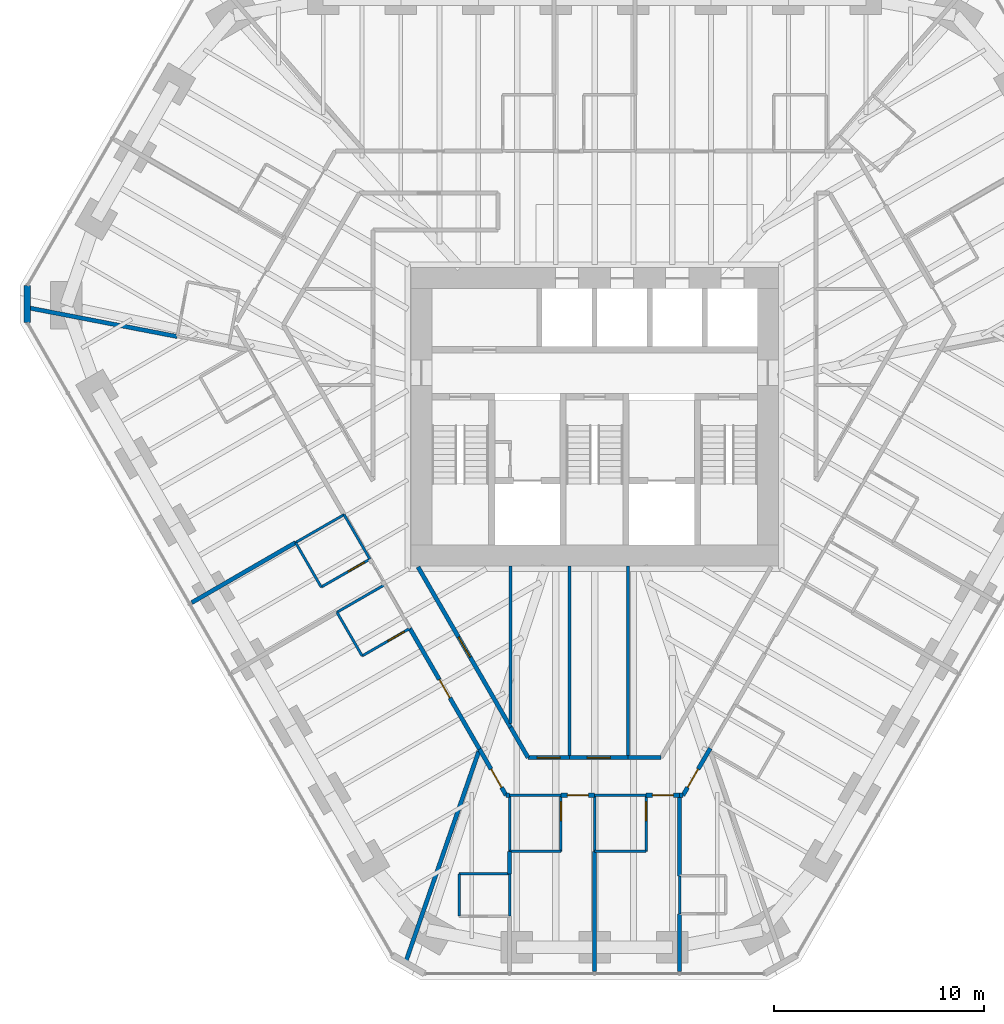
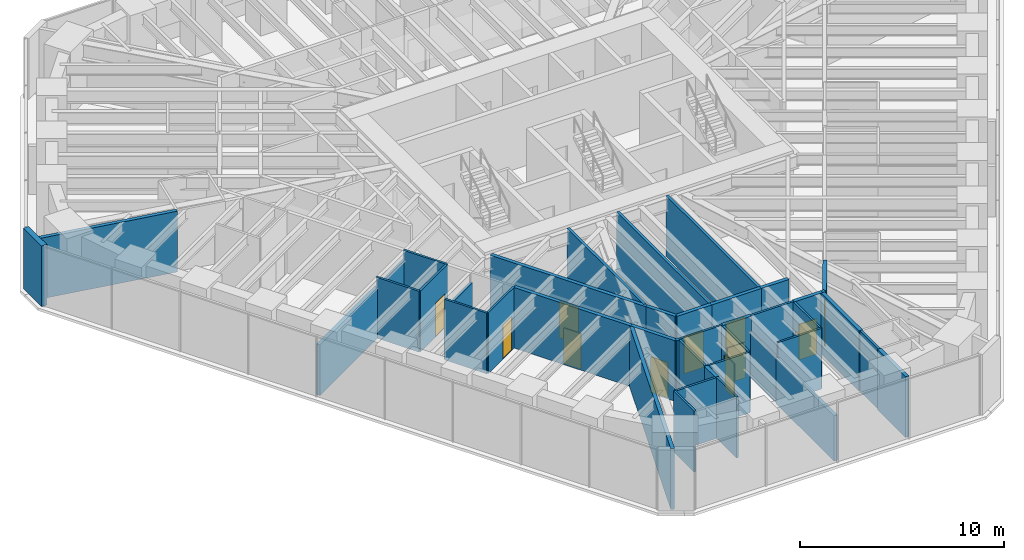
# One storey, part 11 of 16: 42 walls, 12 doors, 12 openings.
"""IFC4 building model written with IfcOpenShell, lengths in metres."""

from ifc_helpers import new_model, si_unit, direction, frame, frame_2d, origin, place, context, subcontext, project, spatial, rectangle, extrude, material, layer, layer_set, type_object, element, fill, save


model = new_model("IFC4")

# Units and contexts
model_context = context("Model", 3, precision=1e-05, world=origin(), true_north=direction((0.0, 1.0)))
body_context = subcontext(model_context, "Body", "Model", "MODEL_VIEW")
ifc_project = project(units=[si_unit("LENGTHUNIT", "METRE"), si_unit("AREAUNIT", "SQUARE_METRE"), si_unit("VOLUMEUNIT", "CUBIC_METRE"), si_unit("PLANEANGLEUNIT", "RADIAN"), si_unit("MASSUNIT", "GRAM", prefix="KILO")], contexts=[model_context])

# Site, building, storey
site_placement = place(None, origin())
site = spatial("IfcSite", under=ifc_project, at=site_placement, CompositionType="ELEMENT")
building_placement = place(site_placement, origin())
building = spatial("IfcBuilding", under=site, at=building_placement, Name="Sandreach Pilgrim Tower", CompositionType="ELEMENT")
storey_placement = place(building_placement, frame((0.0, 0.0, 190.800048828125)))
storey = spatial("IfcBuildingStorey", under=building, at=storey_placement, Name="L47", CompositionType="ELEMENT", Elevation=190.800048828125)

# Walls
ifc_material_1 = material(Name="Gypsum board on steel studs", Category="steel")
ifc_layer_1 = layer(ifc_material_1, 0.14990234375)
ifc_layer_set_1 = layer_set([ifc_layer_1], Name="Back of house wall 150")
wall_type_1 = type_object("IfcWallType", Name="Back of house wall 150", PredefinedType="PARTITIONING", material=ifc_layer_set_1)
wall_1_placement = place(storey_placement, frame((-4.0, -7.10009765625, 0.0), z_axis=(0.0, 0.0, 1.0), x_axis=(0.0, -1.0, 0.0)))
element("IfcWall", 1, at=wall_1_placement, inside=storey, type_object=wall_type_1, Name="Back of house wall L47-062", PredefinedType="PARTITIONING", context=body_context, shape_type="SweptSolid", body=[
    extrude(rectangle(XDim=7.514892578125, YDim=0.14990234375, at=frame_2d((3.75732421875, 0.0))), origin(), (0.0, 0.0, 1.0), 3.639892578125),
])
for number, where, z_axis, x_axis, name in (
    (2, (-1.199951171875, -7.10009765625, 0.0), (0.0, 0.0, 1.0), (0.0, -1.0, 0.0), "Back of house wall L47-071"),
    (3, (1.60009765625, -7.10009765625, 0.0), (0.0, 0.0, 1.0), (0.0, -1.0, 0.0), "Back of house wall L47-079"),
):
    element("IfcWall", number, at=place(storey_placement, frame(where, z_axis=z_axis, x_axis=x_axis)), inside=storey, type_object=wall_type_1, Name=name, PredefinedType="PARTITIONING", context=body_context, shape_type="SweptSolid", body=[
        extrude(rectangle(XDim=9.1298828125, YDim=0.14990234375, at=frame_2d((4.56494140625, 0.0))), origin(), (0.0, 0.0, 1.0), 3.639892578125),
    ])
ifc_material_2 = material(Name="Moisture-resistant gypsum board on steel studs", Category="steel")
ifc_layer_2 = layer(ifc_material_2, 0.1201171875)
ifc_layer_set_2 = layer_set([ifc_layer_2], Name="Bathroom partition 120")
wall_type_2 = type_object("IfcWallType", Name="Bathroom partition 120", PredefinedType="PARTITIONING", material=ifc_layer_set_2)
wall_2_placement = place(storey_placement, frame((-14.239990234375, -5.989990234375, 0.0), z_axis=(0.0, 0.0, 1.0), x_axis=(0.498748634132, -0.866746675766, 0.0)))
element("IfcWall", 4, at=wall_2_placement, inside=storey, type_object=wall_type_2, Name="Bathroom partition L47-023", PredefinedType="PARTITIONING", context=body_context, shape_type="SweptSolid", body=[
    extrude(rectangle(XDim=2.446044921875, YDim=0.1201171875, at=frame_2d((1.22314453125, 0.0))), origin(), (0.0, 0.0, 1.0), 3.639892578125),
])
wall_3_placement = place(storey_placement, frame((-14.239990234375, -5.989990234375, 0.0), z_axis=(0.0, 0.0, 1.0), x_axis=(0.866615255992, 0.498976951453, 0.0)))
element("IfcWall", 5, at=wall_3_placement, inside=storey, type_object=wall_type_2, Name="Bathroom partition L47-024", PredefinedType="PARTITIONING", context=body_context, shape_type="SweptSolid", body=[
    extrude(rectangle(XDim=2.66552734375, YDim=0.1201171875, at=frame_2d((1.332763671875, 0.0))), origin(), (0.0, 0.0, 1.0), 3.0380859375),
])

# Wall, opening, door
wall_4_placement = place(storey_placement, frame((-13.02001953125, -8.110107421875, 0.0), z_axis=(0.0, 0.0, 1.0), x_axis=(0.867545659855, 0.497357545501, 0.0)))
wall_4 = element("IfcWall", 6, at=wall_4_placement, inside=storey, type_object=wall_type_2, Name="Bathroom partition L47-029", PredefinedType="PARTITIONING", context=body_context, shape_type="SweptSolid", body=[
    extrude(rectangle(XDim=2.67431640625, YDim=0.1201171875, at=frame_2d((1.337158203125, 0.0))), origin(), (0.0, 0.0, 1.0), 3.639892578125),
])
opening_1_placement = place(wall_4_placement, frame((1.47412109375, 0.0, 0.0)))
opening_1 = element("IfcOpeningElement", 7, at=opening_1_placement, cuts=wall_4, Name="Opening D09-14B", PredefinedType="OPENING", context=body_context, shape_type="SweptSolid", body=[
    extrude(rectangle(XDim=0.89990234375, YDim=2.030029296875, at=frame_2d((0.449951171875, 1.01513671875))), frame((0.0, 0.06005859375, 0.0), z_axis=(0.0, -1.0, 0.0), x_axis=(1.0, 0.0, 0.0)), (0.0, 0.0, 1.0), 0.1201171875),
])
ifc_material_3 = material(Name="Timber door, steel frame", Category="steel")
door_type_1 = type_object("IfcDoorType", Name="Bathroom door", OperationType="SINGLE_SWING_LEFT", PredefinedType="DOOR", material=ifc_material_3)
door_1_placement = place(opening_1_placement, origin())
door_1 = element("IfcDoor", 8, at=door_1_placement, inside=storey, type_object=door_type_1, Name="Door 4714B", OperationType="SINGLE_SWING_RIGHT", OverallHeight=2.030029296875, OverallWidth=0.89990234375, PredefinedType="DOOR", context=body_context, shape_type="SweptSolid", body=[
    extrude(rectangle(XDim=0.89990234375, YDim=2.030029296875, at=frame_2d((0.449951171875, 1.01513671875))), frame((0.0, 0.02490234375, 0.0), z_axis=(0.0, -1.0, 0.0), x_axis=(1.0, 0.0, 0.0)), (0.0, 0.0, 1.0), 0.050048828125),
])
fill(opening_1, door_1)

# Walls
wall_5_placement = place(storey_placement, frame((-12.27001953125, -9.31005859375, 0.0), z_axis=(0.0, 0.0, 1.0), x_axis=(0.499737123639, -0.866177122335, 0.0)))
element("IfcWall", 9, at=wall_5_placement, inside=storey, type_object=wall_type_2, Name="Bathroom partition L47-030", PredefinedType="PARTITIONING", context=body_context, shape_type="SweptSolid", body=[
    extrude(rectangle(XDim=2.401123046875, YDim=0.1201171875, at=frame_2d((1.20068359375, 0.0))), origin(), (0.0, 0.0, 1.0), 3.639892578125),
])
wall_6_placement = place(storey_placement, frame((-12.27001953125, -9.31005859375, 0.0), z_axis=(0.0, 0.0, 1.0), x_axis=(0.866114241029, 0.499846097802, 0.0)))
element("IfcWall", 10, at=wall_6_placement, inside=storey, type_object=wall_type_2, Name="Bathroom partition L47-031", PredefinedType="PARTITIONING", context=body_context, shape_type="SweptSolid", body=[
    extrude(rectangle(XDim=2.620849609375, YDim=0.1201171875, at=frame_2d((1.310546875, 0.0))), origin(), (0.0, 0.0, 1.0), 3.0380859375),
])
wall_7_placement = place(storey_placement, frame((-11.929931640625, -4.659912109375, 0.0), z_axis=(0.0, 0.0, 1.0), x_axis=(0.501813488763, -0.864975850817, 0.0)))
element("IfcWall", 11, at=wall_7_placement, inside=storey, type_object=wall_type_2, Name="Bathroom partition L47-032", PredefinedType="PARTITIONING", context=body_context, shape_type="SweptSolid", body=[
    extrude(rectangle(XDim=2.451171875, YDim=0.1201171875, at=frame_2d((1.2255859375, 0.0))), origin(), (0.0, 0.0, 1.0), 3.639892578125),
])

# Wall, opening, door
wall_8_placement = place(storey_placement, frame((-11.070068359375, -11.389892578125, 0.0), z_axis=(0.0, 0.0, 1.0), x_axis=(0.866154567199, 0.49977621564, 0.0)))
wall_8 = element("IfcWall", 12, at=wall_8_placement, inside=storey, type_object=wall_type_2, Name="Bathroom partition L47-034", PredefinedType="PARTITIONING", context=body_context, shape_type="SweptSolid", body=[
    extrude(rectangle(XDim=2.620849609375, YDim=0.1201171875, at=frame_2d((1.310546875, 0.0))), origin(), (0.0, 0.0, 1.0), 3.639892578125),
])
opening_2_placement = place(wall_8_placement, frame((1.4208984375, 0.0, 0.0)))
opening_2 = element("IfcOpeningElement", 13, at=opening_2_placement, cuts=wall_8, Name="Opening D09-13B", PredefinedType="OPENING", context=body_context, shape_type="SweptSolid", body=[
    extrude(rectangle(XDim=0.89990234375, YDim=2.030029296875, at=frame_2d((0.449951171875, 1.01513671875))), frame((0.0, 0.06005859375, 0.0), z_axis=(0.0, -1.0, 0.0), x_axis=(1.0, 0.0, 0.0)), (0.0, 0.0, 1.0), 0.1201171875),
])
door_2_placement = place(opening_2_placement, origin())
door_2 = element("IfcDoor", 14, at=door_2_placement, inside=storey, type_object=door_type_1, Name="Door 4713B", OperationType="SINGLE_SWING_RIGHT", OverallHeight=2.030029296875, OverallWidth=0.89990234375, PredefinedType="DOOR", context=body_context, shape_type="SweptSolid", body=[
    extrude(rectangle(XDim=0.89990234375, YDim=2.030029296875, at=frame_2d((0.449951171875, 1.01513671875))), frame((0.0, 0.02490234375, 0.0), z_axis=(0.0, -1.0, 0.0), x_axis=(1.0, 0.0, 0.0)), (0.0, 0.0, 1.0), 0.050048828125),
])
fill(opening_2, door_2)

# Walls
for number, where, z_axis, x_axis, name in (
    (15, (-6.449951171875, -21.77001953125, 0.0), (0.0, 0.0, 1.0), (0.0, -1.0, 0.0), "Bathroom partition L47-047"),
    (16, (-4.050048828125, -23.780029296875, 0.0), (0.0, 0.0, 1.0), (0.0, 1.0, 0.0), "Bathroom partition L47-055"),
):
    element("IfcWall", number, at=place(storey_placement, frame(where, z_axis=z_axis, x_axis=x_axis)), inside=storey, type_object=wall_type_2, Name=name, PredefinedType="PARTITIONING", context=body_context, shape_type="SweptSolid", body=[
        extrude(rectangle(XDim=2.010009765625, YDim=0.1201171875, at=frame_2d((1.0048828125, 0.0))), origin(), (0.0, 0.0, 1.0), 3.639892578125),
    ])
wall_9_placement = place(storey_placement, frame((-4.050048828125, -21.77001953125, 0.0), z_axis=(0.0, 0.0, 1.0), x_axis=(-1.0, 0.0, 0.0)))
element("IfcWall", 17, at=wall_9_placement, inside=storey, type_object=wall_type_2, Name="Bathroom partition L47-056", PredefinedType="PARTITIONING", context=body_context, shape_type="SweptSolid", body=[
    extrude(rectangle(XDim=2.39990234375, YDim=0.1201171875, at=frame_2d((1.199951171875, 0.0))), origin(), (0.0, 0.0, 1.0), 3.639892578125),
])
wall_10_placement = place(storey_placement, frame((-4.050048828125, -20.699951171875, 0.0), z_axis=(0.0, 0.0, 1.0), x_axis=(0.0, 1.0, 0.0)))
element("IfcWall", 18, at=wall_10_placement, inside=storey, type_object=wall_type_2, Name="Bathroom partition L47-058", PredefinedType="PARTITIONING", context=body_context, shape_type="SweptSolid", body=[
    extrude(rectangle(XDim=2.669921875, YDim=0.1201171875, at=frame_2d((1.3349609375, 0.0))), origin(), (0.0, 0.0, 1.0), 3.639892578125),
])
for number, where, z_axis, x_axis, name in (
    (19, (-4.050048828125, -20.699951171875, 0.0), (0.0, 0.0, 1.0), (1.0, 0.0, 0.0), "Bathroom partition L47-059"),
    (20, (-4.050048828125, -18.030029296875, 0.0), (0.0, 0.0, 1.0), (1.0, 0.0, 0.0), "Bathroom partition L47-060"),
):
    element("IfcWall", number, at=place(storey_placement, frame(where, z_axis=z_axis, x_axis=x_axis)), inside=storey, type_object=wall_type_2, Name=name, PredefinedType="PARTITIONING", context=body_context, shape_type="SweptSolid", body=[
        extrude(rectangle(XDim=2.449951171875, YDim=0.1201171875, at=frame_2d((1.22509765625, 0.0))), origin(), (0.0, 0.0, 1.0), 3.639892578125),
    ])

# Wall, opening, door
wall_11_placement = place(storey_placement, frame((-1.60009765625, -20.699951171875, 0.0), z_axis=(0.0, 0.0, 1.0), x_axis=(0.0, 1.0, 0.0)))
wall_11 = element("IfcWall", 21, at=wall_11_placement, inside=storey, type_object=wall_type_2, Name="Bathroom partition L47-068", PredefinedType="PARTITIONING", context=body_context, shape_type="SweptSolid", body=[
    extrude(rectangle(XDim=2.669921875, YDim=0.1201171875, at=frame_2d((1.3349609375, 0.0))), origin(), (0.0, 0.0, 1.0), 3.639892578125),
])
opening_3_placement = place(wall_11_placement, frame((1.469970703125, 0.0, 0.0)))
opening_3 = element("IfcOpeningElement", 22, at=opening_3_placement, cuts=wall_11, Name="Opening D09-11B", PredefinedType="OPENING", context=body_context, shape_type="SweptSolid", body=[
    extrude(rectangle(XDim=0.89990234375, YDim=2.030029296875, at=frame_2d((0.449951171875, 1.01513671875))), frame((0.0, 0.06005859375, 0.0), z_axis=(0.0, -1.0, 0.0), x_axis=(1.0, 0.0, 0.0)), (0.0, 0.0, 1.0), 0.1201171875),
])
door_3_placement = place(opening_3_placement, origin())
door_3 = element("IfcDoor", 23, at=door_3_placement, inside=storey, type_object=door_type_1, Name="Door 4711B", OperationType="SINGLE_SWING_RIGHT", OverallHeight=2.030029296875, OverallWidth=0.89990234375, PredefinedType="DOOR", context=body_context, shape_type="SweptSolid", body=[
    extrude(rectangle(XDim=0.89990234375, YDim=2.030029296875, at=frame_2d((0.449951171875, 1.01513671875))), frame((0.0, 0.02490234375, 0.0), z_axis=(0.0, -1.0, 0.0), x_axis=(1.0, 0.0, 0.0)), (0.0, 0.0, 1.0), 0.050048828125),
])
fill(opening_3, door_3)

# Walls
wall_12_placement = place(storey_placement, frame((0.0, -20.699951171875, 0.0), z_axis=(0.0, 0.0, 1.0), x_axis=(0.0, 1.0, 0.0)))
element("IfcWall", 24, at=wall_12_placement, inside=storey, type_object=wall_type_2, Name="Bathroom partition L47-075", PredefinedType="PARTITIONING", context=body_context, shape_type="SweptSolid", body=[
    extrude(rectangle(XDim=2.669921875, YDim=0.1201171875, at=frame_2d((1.3349609375, 0.0))), origin(), (0.0, 0.0, 1.0), 2.7255859375),
])
for number, where, z_axis, x_axis, name in (
    (25, (0.0, -20.699951171875, 0.0), (0.0, 0.0, 1.0), (1.0, 0.0, 0.0), "Bathroom partition L47-076"),
    (26, (0.0, -18.030029296875, 0.0), (0.0, 0.0, 1.0), (1.0, 0.0, 0.0), "Bathroom partition L47-077"),
):
    element("IfcWall", number, at=place(storey_placement, frame(where, z_axis=z_axis, x_axis=x_axis)), inside=storey, type_object=wall_type_2, Name=name, PredefinedType="PARTITIONING", context=body_context, shape_type="SweptSolid", body=[
        extrude(rectangle(XDim=2.449951171875, YDim=0.1201171875, at=frame_2d((1.22509765625, 0.0))), origin(), (0.0, 0.0, 1.0), 3.639892578125),
    ])

# Wall, opening, door
wall_13_placement = place(storey_placement, frame((2.449951171875, -20.699951171875, 0.0), z_axis=(0.0, 0.0, 1.0), x_axis=(0.0, 1.0, 0.0)))
wall_13 = element("IfcWall", 27, at=wall_13_placement, inside=storey, type_object=wall_type_2, Name="Bathroom partition L47-084", PredefinedType="PARTITIONING", context=body_context, shape_type="SweptSolid", body=[
    extrude(rectangle(XDim=2.669921875, YDim=0.1201171875, at=frame_2d((1.3349609375, 0.0))), origin(), (0.0, 0.0, 1.0), 3.639892578125),
])
opening_4_placement = place(wall_13_placement, frame((1.469970703125, 0.0, 0.0)))
opening_4 = element("IfcOpeningElement", 28, at=opening_4_placement, cuts=wall_13, Name="Opening D09-10B", PredefinedType="OPENING", context=body_context, shape_type="SweptSolid", body=[
    extrude(rectangle(XDim=0.89990234375, YDim=2.030029296875, at=frame_2d((0.449951171875, 1.01513671875))), frame((0.0, 0.06005859375, 0.0), z_axis=(0.0, -1.0, 0.0), x_axis=(1.0, 0.0, 0.0)), (0.0, 0.0, 1.0), 0.1201171875),
])
door_4_placement = place(opening_4_placement, origin())
door_4 = element("IfcDoor", 29, at=door_4_placement, inside=storey, type_object=door_type_1, Name="Door 4710B", OperationType="SINGLE_SWING_RIGHT", OverallHeight=2.030029296875, OverallWidth=0.89990234375, PredefinedType="DOOR", context=body_context, shape_type="SweptSolid", body=[
    extrude(rectangle(XDim=0.89990234375, YDim=2.030029296875, at=frame_2d((0.449951171875, 1.01513671875))), frame((0.0, 0.02490234375, 0.0), z_axis=(0.0, -1.0, 0.0), x_axis=(1.0, 0.0, 0.0)), (0.0, 0.0, 1.0), 0.050048828125),
])
fill(opening_4, door_4)

# Wall
wall_14_placement = place(storey_placement, frame((4.050048828125, -23.679931640625, 0.0), z_axis=(0.0, 0.0, 1.0), x_axis=(0.0, 1.0, 0.0)))
element("IfcWall", 30, at=wall_14_placement, inside=storey, type_object=wall_type_2, Name="Bathroom partition L47-088", PredefinedType="PARTITIONING", context=body_context, shape_type="SweptSolid", body=[
    extrude(rectangle(XDim=1.809814453125, YDim=0.1201171875, at=frame_2d((0.90478515625, 0.0))), origin(), (0.0, 0.0, 1.0), 3.639892578125),
])

# Wall, opening, door
ifc_material_4 = material(Name="Gypsum board on steel studs, two layers each side", Category="steel")
ifc_layer_3 = layer(ifc_material_4, 0.199951171875)
ifc_layer_set_3 = layer_set([ifc_layer_3], Name="Corridor wall 200")
wall_type_3 = type_object("IfcWallType", Name="Corridor wall 200", PredefinedType="PARTITIONING", material=ifc_layer_set_3)
wall_15_placement = place(storey_placement, frame((-8.800048828125, -10.080078125, 0.0), z_axis=(0.0, 0.0, 1.0), x_axis=(0.500034373799, -0.866005557153, 0.0)))
wall_15 = element("IfcWall", 31, at=wall_15_placement, inside=storey, type_object=wall_type_3, Name="Corridor wall L47-045", PredefinedType="PARTITIONING", context=body_context, shape_type="SweptSolid", body=[
    extrude(rectangle(XDim=6.6396484375, YDim=0.199951171875, at=frame_2d((3.31982421875, 0.0))), origin(), (0.0, 0.0, 1.0), 3.639892578125),
])
opening_5_placement = place(wall_15_placement, frame((2.81982421875, 0.0, 0.0)))
opening_5 = element("IfcOpeningElement", 32, at=opening_5_placement, cuts=wall_15, Name="Opening D10-13", PredefinedType="OPENING", context=body_context, shape_type="SweptSolid", body=[
    extrude(rectangle(XDim=1.0, YDim=2.1298828125, at=frame_2d((0.5, 1.06494140625))), frame((0.0, 0.10009765625, 0.0), z_axis=(0.0, -1.0, 0.0), x_axis=(1.0, 0.0, 0.0)), (0.0, 0.0, 1.0), 0.199951171875),
])
ifc_material_5 = material(Name="Steel door and frame", Category="steel")
door_type_2 = type_object("IfcDoorType", Name="Guest room entry door", OperationType="SINGLE_SWING_LEFT", PredefinedType="DOOR", material=ifc_material_5)
door_5_placement = place(opening_5_placement, origin())
door_5 = element("IfcDoor", 33, at=door_5_placement, inside=storey, type_object=door_type_2, Name="Door 4713", OperationType="SINGLE_SWING_LEFT", OverallHeight=2.1298828125, OverallWidth=1.0, PredefinedType="DOOR", context=body_context, shape_type="SweptSolid", body=[
    extrude(rectangle(XDim=1.0, YDim=2.1298828125, at=frame_2d((0.5, 1.06494140625))), frame((0.0, 0.02490234375, 0.0), z_axis=(0.0, -1.0, 0.0), x_axis=(1.0, 0.0, 0.0)), (0.0, 0.0, 1.0), 0.050048828125),
])
fill(opening_5, door_5)

wall_16_placement = place(storey_placement, frame((-5.47998046875, -15.830078125, 0.0), z_axis=(0.0, 0.0, 1.0), x_axis=(0.499963722229, -0.866046347752, 0.0)))
wall_16 = element("IfcWall", 34, at=wall_16_placement, inside=storey, type_object=wall_type_3, Name="Corridor wall L47-048", PredefinedType="PARTITIONING", context=body_context, shape_type="SweptSolid", body=[
    extrude(rectangle(XDim=2.540283203125, YDim=0.199951171875, at=frame_2d((1.27001953125, 0.0))), origin(), (0.0, 0.0, 1.0), 3.639892578125),
])
opening_6_placement = place(wall_16_placement, frame((1.10009765625, 0.0, 0.0)))
opening_6 = element("IfcOpeningElement", 35, at=opening_6_placement, cuts=wall_16, Name="Opening D10-12", PredefinedType="OPENING", context=body_context, shape_type="SweptSolid", body=[
    extrude(rectangle(XDim=1.0, YDim=2.1298828125, at=frame_2d((0.5, 1.06494140625))), frame((0.0, 0.10009765625, 0.0), z_axis=(0.0, -1.0, 0.0), x_axis=(1.0, 0.0, 0.0)), (0.0, 0.0, 1.0), 0.199951171875),
])
door_6_placement = place(opening_6_placement, origin())
door_6 = element("IfcDoor", 36, at=door_6_placement, inside=storey, type_object=door_type_2, Name="Door 4712", OperationType="SINGLE_SWING_RIGHT", OverallHeight=2.1298828125, OverallWidth=1.0, PredefinedType="DOOR", context=body_context, shape_type="SweptSolid", body=[
    extrude(rectangle(XDim=1.0, YDim=2.1298828125, at=frame_2d((0.5, 1.06494140625))), frame((0.0, 0.02490234375, 0.0), z_axis=(0.0, -1.0, 0.0), x_axis=(1.0, 0.0, 0.0)), (0.0, 0.0, 1.0), 0.050048828125),
])
fill(opening_6, door_6)

# Wall
wall_17_placement = place(storey_placement, frame((-4.2099609375, -18.030029296875, 0.0), z_axis=(0.0, 0.0, 1.0), x_axis=(1.0, 0.0, 0.0)))
element("IfcWall", 37, at=wall_17_placement, inside=storey, type_object=wall_type_3, Name="Corridor wall L47-053", PredefinedType="PARTITIONING", context=body_context, shape_type="SweptSolid", body=[
    extrude(rectangle(XDim=0.159912109375, YDim=0.199951171875, at=frame_2d((0.080078125, 0.0))), origin(), (0.0, 0.0, 1.0), 3.639892578125),
])

# Wall, opening, door
wall_18_placement = place(storey_placement, frame((-4.0, -14.7900390625, 0.0), z_axis=(0.0, 0.0, 1.0), x_axis=(-0.499916512745, 0.866073599808, 0.0)))
wall_18 = element("IfcWall", 38, at=wall_18_placement, inside=storey, type_object=wall_type_3, Name="Corridor wall L47-061", PredefinedType="PARTITIONING", context=body_context, shape_type="SweptSolid", body=[
    extrude(rectangle(XDim=8.8212890625, YDim=0.199951171875, at=frame_2d((4.41064453125, 0.0))), origin(), (0.0, 0.0, 1.0), 3.639892578125),
])
opening_7_placement = place(wall_18_placement, frame((3.860595703125, 0.0, 0.0)))
opening_7 = element("IfcOpeningElement", 39, at=opening_7_placement, cuts=wall_18, Name="Opening D11H-S1", PredefinedType="OPENING", context=body_context, shape_type="SweptSolid", body=[
    extrude(rectangle(XDim=1.10009765625, YDim=2.199951171875, at=frame_2d((0.550048828125, 1.10009765625))), frame((0.0, 0.10009765625, 0.0), z_axis=(0.0, -1.0, 0.0), x_axis=(1.0, 0.0, 0.0)), (0.0, 0.0, 1.0), 0.199951171875),
])
ifc_material_6 = material(Name="Steel door and frame", Category="steel")
door_type_3 = type_object("IfcDoorType", Name="Back of house door", OperationType="SINGLE_SWING_LEFT", PredefinedType="DOOR", material=ifc_material_6)
door_7_placement = place(opening_7_placement, origin())
door_7 = element("IfcDoor", 40, at=door_7_placement, inside=storey, type_object=door_type_3, Name="Door 47S1", OperationType="SINGLE_SWING_LEFT", OverallHeight=2.199951171875, OverallWidth=1.10009765625, PredefinedType="DOOR", context=body_context, shape_type="SweptSolid", body=[
    extrude(rectangle(XDim=1.10009765625, YDim=2.199951171875, at=frame_2d((0.550048828125, 1.10009765625))), frame((0.0, 0.02490234375, 0.0), z_axis=(0.0, -1.0, 0.0), x_axis=(1.0, 0.0, 0.0)), (0.0, 0.0, 1.0), 0.050048828125),
])
fill(opening_7, door_7)

# Wall
wall_19_placement = place(storey_placement, frame((-3.169921875, -16.22998046875, 0.0), z_axis=(0.0, 0.0, 1.0), x_axis=(-0.499425709803, 0.866356716594, 0.0)))
element("IfcWall", 41, at=wall_19_placement, inside=storey, type_object=wall_type_3, Name="Corridor wall L47-063", PredefinedType="PARTITIONING", context=body_context, shape_type="SweptSolid", body=[
    extrude(rectangle(XDim=1.662109375, YDim=0.199951171875, at=frame_2d((0.8310546875, 0.0))), origin(), (0.0, 0.0, 1.0), 3.639892578125),
])

# Wall, opening, door
wall_20_placement = place(storey_placement, frame((-1.60009765625, -18.030029296875, 0.0), z_axis=(0.0, 0.0, 1.0), x_axis=(1.0, 0.0, 0.0)))
wall_20 = element("IfcWall", 42, at=wall_20_placement, inside=storey, type_object=wall_type_3, Name="Corridor wall L47-069", PredefinedType="PARTITIONING", context=body_context, shape_type="SweptSolid", body=[
    extrude(rectangle(XDim=1.60009765625, YDim=0.199951171875, at=frame_2d((0.800048828125, 0.0))), origin(), (0.0, 0.0, 1.0), 3.639892578125),
])
opening_8_placement = place(wall_20_placement, frame((0.300048828125, 0.0, 0.0)))
opening_8 = element("IfcOpeningElement", 43, at=opening_8_placement, cuts=wall_20, Name="Opening D10-11", PredefinedType="OPENING", context=body_context, shape_type="SweptSolid", body=[
    extrude(rectangle(XDim=1.0, YDim=2.1298828125, at=frame_2d((0.5, 1.06494140625))), frame((0.0, 0.10009765625, 0.0), z_axis=(0.0, -1.0, 0.0), x_axis=(1.0, 0.0, 0.0)), (0.0, 0.0, 1.0), 0.199951171875),
])
door_8_placement = place(opening_8_placement, origin())
door_8 = element("IfcDoor", 44, at=door_8_placement, inside=storey, type_object=door_type_2, Name="Door 4711", OperationType="SINGLE_SWING_LEFT", OverallHeight=2.1298828125, OverallWidth=1.0, PredefinedType="DOOR", context=body_context, shape_type="SweptSolid", body=[
    extrude(rectangle(XDim=1.0, YDim=2.1298828125, at=frame_2d((0.5, 1.06494140625))), frame((0.0, 0.02490234375, 0.0), z_axis=(0.0, -1.0, 0.0), x_axis=(1.0, 0.0, 0.0)), (0.0, 0.0, 1.0), 0.050048828125),
])
fill(opening_8, door_8)

wall_21_placement = place(storey_placement, frame((-1.199951171875, -16.22998046875, 0.0), z_axis=(0.0, 0.0, 1.0), x_axis=(-1.0, 0.0, 0.0)))
wall_21 = element("IfcWall", 45, at=wall_21_placement, inside=storey, type_object=wall_type_3, Name="Corridor wall L47-070", PredefinedType="PARTITIONING", context=body_context, shape_type="SweptSolid", body=[
    extrude(rectangle(XDim=1.969970703125, YDim=0.199951171875, at=frame_2d((0.98486328125, 0.0))), origin(), (0.0, 0.0, 1.0), 3.639892578125),
])
opening_9_placement = place(wall_21_placement, frame((0.43505859375, 0.0, 0.0)))
opening_9 = element("IfcOpeningElement", 46, at=opening_9_placement, cuts=wall_21, Name="Opening D11H-S2", PredefinedType="OPENING", context=body_context, shape_type="SweptSolid", body=[
    extrude(rectangle(XDim=1.10009765625, YDim=2.199951171875, at=frame_2d((0.550048828125, 1.10009765625))), frame((0.0, 0.10009765625, 0.0), z_axis=(0.0, -1.0, 0.0), x_axis=(1.0, 0.0, 0.0)), (0.0, 0.0, 1.0), 0.199951171875),
])
door_9_placement = place(opening_9_placement, origin())
door_9 = element("IfcDoor", 47, at=door_9_placement, inside=storey, type_object=door_type_3, Name="Door 47S2", OperationType="SINGLE_SWING_LEFT", OverallHeight=2.199951171875, OverallWidth=1.10009765625, PredefinedType="DOOR", context=body_context, shape_type="SweptSolid", body=[
    extrude(rectangle(XDim=1.10009765625, YDim=2.199951171875, at=frame_2d((0.550048828125, 1.10009765625))), frame((0.0, 0.02490234375, 0.0), z_axis=(0.0, -1.0, 0.0), x_axis=(1.0, 0.0, 0.0)), (0.0, 0.0, 1.0), 0.050048828125),
])
fill(opening_9, door_9)

wall_22_placement = place(storey_placement, frame((1.60009765625, -16.22998046875, 0.0), z_axis=(0.0, 0.0, 1.0), x_axis=(-1.0, 0.0, 0.0)))
wall_22 = element("IfcWall", 48, at=wall_22_placement, inside=storey, type_object=wall_type_3, Name="Corridor wall L47-078", PredefinedType="PARTITIONING", context=body_context, shape_type="SweptSolid", body=[
    extrude(rectangle(XDim=2.800048828125, YDim=0.199951171875, at=frame_2d((1.39990234375, 0.0))), origin(), (0.0, 0.0, 1.0), 3.639892578125),
])
opening_10_placement = place(wall_22_placement, frame((0.85009765625, 0.0, 0.0)))
opening_10 = element("IfcOpeningElement", 49, at=opening_10_placement, cuts=wall_22, Name="Opening D11H-S3", PredefinedType="OPENING", context=body_context, shape_type="SweptSolid", body=[
    extrude(rectangle(XDim=1.10009765625, YDim=2.199951171875, at=frame_2d((0.550048828125, 1.10009765625))), frame((0.0, 0.10009765625, 0.0), z_axis=(0.0, -1.0, 0.0), x_axis=(1.0, 0.0, 0.0)), (0.0, 0.0, 1.0), 0.199951171875),
])
door_10_placement = place(opening_10_placement, origin())
door_10 = element("IfcDoor", 50, at=door_10_placement, inside=storey, type_object=door_type_3, Name="Door 47S3", OperationType="SINGLE_SWING_LEFT", OverallHeight=2.199951171875, OverallWidth=1.10009765625, PredefinedType="DOOR", context=body_context, shape_type="SweptSolid", body=[
    extrude(rectangle(XDim=1.10009765625, YDim=2.199951171875, at=frame_2d((0.550048828125, 1.10009765625))), frame((0.0, 0.02490234375, 0.0), z_axis=(0.0, -1.0, 0.0), x_axis=(1.0, 0.0, 0.0)), (0.0, 0.0, 1.0), 0.050048828125),
])
fill(opening_10, door_10)

wall_23_placement = place(storey_placement, frame((2.449951171875, -18.030029296875, 0.0), z_axis=(0.0, 0.0, 1.0), x_axis=(1.0, 0.0, 0.0)))
wall_23 = element("IfcWall", 51, at=wall_23_placement, inside=storey, type_object=wall_type_3, Name="Corridor wall L47-085", PredefinedType="PARTITIONING", context=body_context, shape_type="SweptSolid", body=[
    extrude(rectangle(XDim=1.60009765625, YDim=0.199951171875, at=frame_2d((0.800048828125, 0.0))), origin(), (0.0, 0.0, 1.0), 3.639892578125),
])
opening_11_placement = place(wall_23_placement, frame((0.300048828125, 0.0, 0.0)))
opening_11 = element("IfcOpeningElement", 52, at=opening_11_placement, cuts=wall_23, Name="Opening D10-10", PredefinedType="OPENING", context=body_context, shape_type="SweptSolid", body=[
    extrude(rectangle(XDim=1.0, YDim=2.1298828125, at=frame_2d((0.5, 1.06494140625))), frame((0.0, 0.10009765625, 0.0), z_axis=(0.0, -1.0, 0.0), x_axis=(1.0, 0.0, 0.0)), (0.0, 0.0, 1.0), 0.199951171875),
])
door_11_placement = place(opening_11_placement, origin())
door_11 = element("IfcDoor", 53, at=door_11_placement, inside=storey, type_object=door_type_2, Name="Door 4710", OperationType="SINGLE_SWING_LEFT", OverallHeight=2.1298828125, OverallWidth=1.0, PredefinedType="DOOR", context=body_context, shape_type="SweptSolid", body=[
    extrude(rectangle(XDim=1.0, YDim=2.1298828125, at=frame_2d((0.5, 1.06494140625))), frame((0.0, 0.02490234375, 0.0), z_axis=(0.0, -1.0, 0.0), x_axis=(1.0, 0.0, 0.0)), (0.0, 0.0, 1.0), 0.050048828125),
])
fill(opening_11, door_11)

# Walls
wall_24_placement = place(storey_placement, frame((3.169921875, -16.22998046875, 0.0), z_axis=(0.0, 0.0, 1.0), x_axis=(-1.0, 0.0, 0.0)))
element("IfcWall", 54, at=wall_24_placement, inside=storey, type_object=wall_type_3, Name="Corridor wall L47-086", PredefinedType="PARTITIONING", context=body_context, shape_type="SweptSolid", body=[
    extrude(rectangle(XDim=1.56982421875, YDim=0.199951171875, at=frame_2d((0.784912109375, 0.0))), origin(), (0.0, 0.0, 1.0), 3.639892578125),
])
wall_25_placement = place(storey_placement, frame((4.050048828125, -18.030029296875, 0.0), z_axis=(0.0, 0.0, 1.0), x_axis=(1.0, 0.0, 0.0)))
element("IfcWall", 55, at=wall_25_placement, inside=storey, type_object=wall_type_3, Name="Corridor wall L47-091", PredefinedType="PARTITIONING", context=body_context, shape_type="SweptSolid", body=[
    extrude(rectangle(XDim=0.159912109375, YDim=0.199951171875, at=frame_2d((0.080078125, 0.0))), origin(), (0.0, 0.0, 1.0), 3.639892578125),
])

# Wall, opening, door
wall_26_placement = place(storey_placement, frame((5.510009765625, -15.7900390625, 0.0), z_axis=(0.0, 0.0, 1.0), x_axis=(-0.501964949025, -0.864887963814, 0.0)))
wall_26 = element("IfcWall", 56, at=wall_26_placement, inside=storey, type_object=wall_type_3, Name="Corridor wall L47-092", PredefinedType="PARTITIONING", context=body_context, shape_type="SweptSolid", body=[
    extrude(rectangle(XDim=2.58984375, YDim=0.199951171875, at=frame_2d((1.294921875, 0.0))), origin(), (0.0, 0.0, 1.0), 3.639892578125),
])
opening_12_placement = place(wall_26_placement, frame((1.14990234375, 0.0, 0.0)))
opening_12 = element("IfcOpeningElement", 57, at=opening_12_placement, cuts=wall_26, Name="Opening D10-09", PredefinedType="OPENING", context=body_context, shape_type="SweptSolid", body=[
    extrude(rectangle(XDim=1.0, YDim=2.1298828125, at=frame_2d((0.5, 1.06494140625))), frame((0.0, 0.10009765625, 0.0), z_axis=(0.0, -1.0, 0.0), x_axis=(1.0, 0.0, 0.0)), (0.0, 0.0, 1.0), 0.199951171875),
])
door_12_placement = place(opening_12_placement, origin())
door_12 = element("IfcDoor", 58, at=door_12_placement, inside=storey, type_object=door_type_2, Name="Door 4709", OperationType="SINGLE_SWING_RIGHT", OverallHeight=2.1298828125, OverallWidth=1.0, PredefinedType="DOOR", context=body_context, shape_type="SweptSolid", body=[
    extrude(rectangle(XDim=1.0, YDim=2.1298828125, at=frame_2d((0.5, 1.06494140625))), frame((0.0, 0.02490234375, 0.0), z_axis=(0.0, -1.0, 0.0), x_axis=(1.0, 0.0, 0.0)), (0.0, 0.0, 1.0), 0.050048828125),
])
fill(opening_12, door_12)

# Walls
ifc_material_7 = material(Name="Double steel stud acoustic wall, gypsum board", Category="steel")
ifc_layer_4 = layer(ifc_material_7, 0.199951171875)
ifc_layer_set_4 = layer_set([ifc_layer_4], Name="Party wall 200")
wall_type_4 = type_object("IfcWallType", Name="Party wall 200", PredefinedType="PARTITIONING", material=ifc_layer_set_4)
wall_27_placement = place(storey_placement, frame((-27.04052734375, 5.204345703125, 0.0), z_axis=(0.0, 0.0, 1.0), x_axis=(0.981883480928, -0.189485698355, 0.0)))
element("IfcWall", 59, at=wall_27_placement, inside=storey, type_object=wall_type_4, Name="Party wall L47-001", PredefinedType="PARTITIONING", context=body_context, shape_type="SweptSolid", body=[
    extrude(rectangle(XDim=7.291259765625, YDim=0.199951171875, at=frame_2d((3.6455078125, 0.0))), origin(), (0.0, 0.0, 1.0), 3.639892578125),
])
wall_28_placement = place(storey_placement, frame((-19.18603515625, -8.849853515625, 0.0), z_axis=(0.0, 0.0, 1.0), x_axis=(0.865702137343, 0.500559496364, 0.0)))
element("IfcWall", 60, at=wall_28_placement, inside=storey, type_object=wall_type_4, Name="Party wall L47-004", PredefinedType="PARTITIONING", context=body_context, shape_type="SweptSolid", body=[
    extrude(rectangle(XDim=5.71337890625, YDim=0.199951171875, at=frame_2d((2.856689453125, 0.0))), origin(), (0.0, 0.0, 1.0), 3.0380859375),
])
wall_29_placement = place(storey_placement, frame((-9.01025390625, -26.01171875, 0.0), z_axis=(0.0, 0.0, 1.0), x_axis=(0.327582991606, 0.944822408504, 0.0)))
element("IfcWall", 61, at=wall_29_placement, inside=storey, type_object=wall_type_4, Name="Party wall L47-044", PredefinedType="PARTITIONING", context=body_context, shape_type="SweptSolid", body=[
    extrude(rectangle(XDim=10.66650390625, YDim=0.199951171875, at=frame_2d((5.333251953125, 0.0))), origin(), (0.0, 0.0, 1.0), 3.639892578125),
])
wall_30_placement = place(storey_placement, frame((-4.050048828125, -21.77001953125, 0.0), z_axis=(0.0, 0.0, 1.0), x_axis=(0.0, 1.0, 0.0)))
element("IfcWall", 62, at=wall_30_placement, inside=storey, type_object=wall_type_4, Name="Party wall L47-057", PredefinedType="PARTITIONING", context=body_context, shape_type="SweptSolid", body=[
    extrude(rectangle(XDim=1.070068359375, YDim=0.199951171875, at=frame_2d((0.53515625, 0.0))), origin(), (0.0, 0.0, 1.0), 3.639892578125),
])
wall_31_placement = place(storey_placement, frame((0.0, -26.409912109375, 0.0), z_axis=(0.0, 0.0, 1.0), x_axis=(0.0, 1.0, 0.0)))
element("IfcWall", 63, at=wall_31_placement, inside=storey, type_object=wall_type_4, Name="Party wall L47-074", PredefinedType="PARTITIONING", context=body_context, shape_type="SweptSolid", body=[
    extrude(rectangle(XDim=5.7099609375, YDim=0.199951171875, at=frame_2d((2.85498046875, 0.0))), origin(), (0.0, 0.0, 1.0), 2.7255859375),
])
wall_32_placement = place(storey_placement, frame((4.050048828125, -26.409912109375, 0.0), z_axis=(0.0, 0.0, 1.0), x_axis=(0.0, 1.0, 0.0)))
element("IfcWall", 64, at=wall_32_placement, inside=storey, type_object=wall_type_4, Name="Party wall L47-087", PredefinedType="PARTITIONING", context=body_context, shape_type="SweptSolid", body=[
    extrude(rectangle(XDim=2.72998046875, YDim=0.199951171875, at=frame_2d((1.364990234375, 0.0))), origin(), (0.0, 0.0, 1.0), 3.639892578125),
])
wall_33_placement = place(storey_placement, frame((4.050048828125, -21.8701171875, 0.0), z_axis=(0.0, 0.0, 1.0), x_axis=(0.0, 1.0, 0.0)))
element("IfcWall", 65, at=wall_33_placement, inside=storey, type_object=wall_type_4, Name="Party wall L47-090", PredefinedType="PARTITIONING", context=body_context, shape_type="SweptSolid", body=[
    extrude(rectangle(XDim=3.830078125, YDim=0.199951171875, at=frame_2d((1.9150390625, 0.0))), origin(), (0.0, 0.0, 1.0), 3.639892578125),
])
ifc_material_8 = material(Name="Terracotta rainscreen on concrete", Category="masonry")
ifc_layer_5 = layer(ifc_material_8, 0.300048828125)
ifc_layer_set_5 = layer_set([ifc_layer_5], Name="Terracotta chamfer pier")
wall_type_5 = type_object("IfcWallType", Name="Terracotta chamfer pier", PredefinedType="SOLIDWALL", material=ifc_layer_set_5)
wall_34_placement = place(storey_placement, frame((-27.02001953125, 4.47998046875, 0.0), z_axis=(0.0, 0.0, 1.0), x_axis=(0.0, 1.0, 0.0)))
element("IfcWall", 66, at=wall_34_placement, inside=storey, type_object=wall_type_5, Name="Chamfer pier L47 SW", PredefinedType="SOLIDWALL", context=body_context, shape_type="SweptSolid", body=[
    extrude(rectangle(XDim=1.77001953125, YDim=0.300048828125, at=frame_2d((0.885009765625, 0.0))), origin(), (0.0, 0.0, 1.0), 3.639892578125),
])

save(model, "model.ifc")
